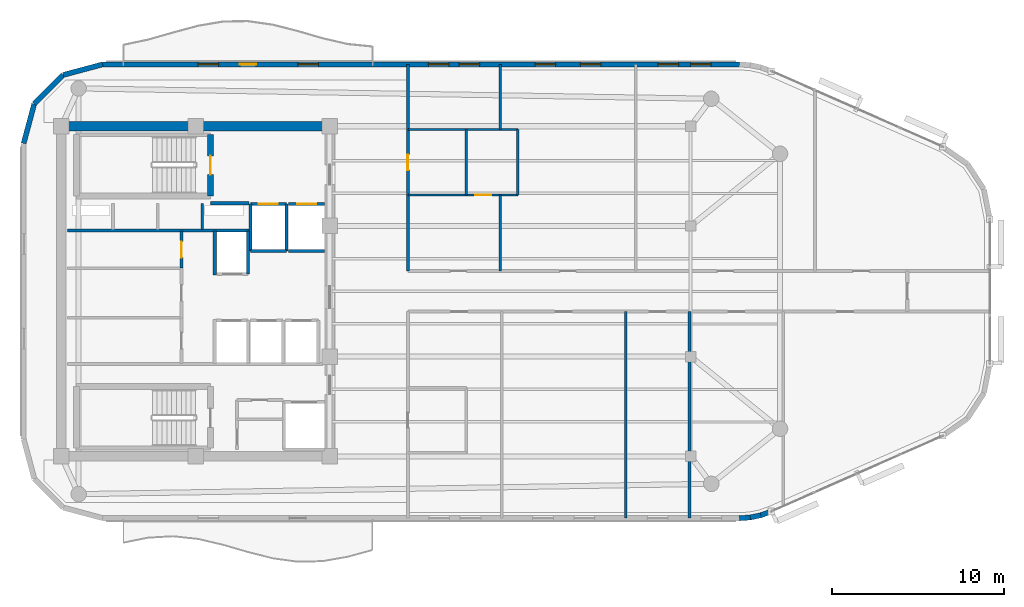
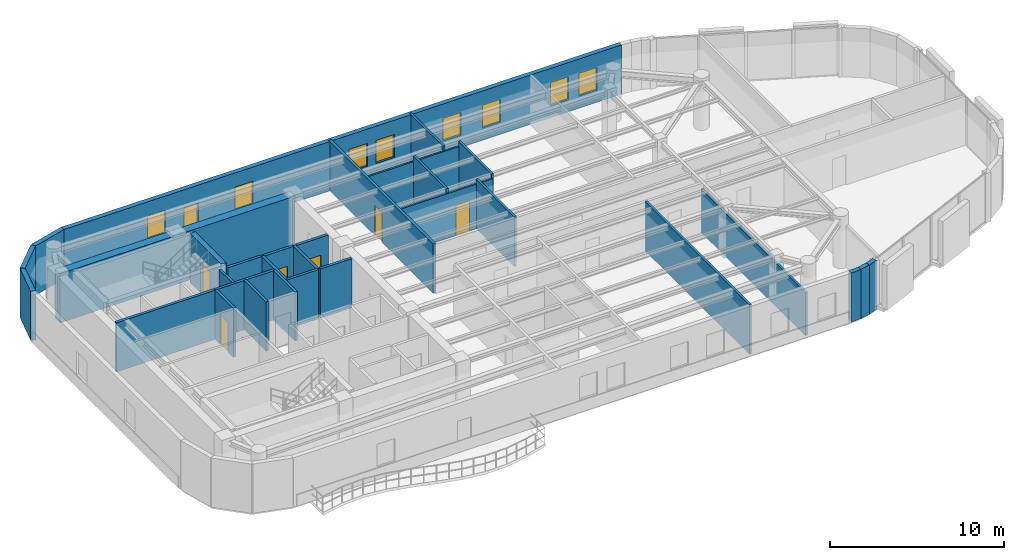
# One storey, part 9 of 14: 30 walls, 8 windows, 7 doors, 15 openings.
"""IFC4 building model written with IfcOpenShell, lengths in metres."""

from ifc_helpers import new_model, si_unit, direction, frame, frame_2d, origin, place, context, subcontext, project, spatial, rectangle, extrude, material, layer, layer_set, type_object, element, fill, save


model = new_model("IFC4")

# Units and contexts
model_context = context("Model", 3, precision=1e-05, world=origin(), true_north=direction((0.0, 1.0)))
body_context = subcontext(model_context, "Body", "Model", "MODEL_VIEW")
ifc_project = project(units=[si_unit("LENGTHUNIT", "METRE"), si_unit("AREAUNIT", "SQUARE_METRE"), si_unit("VOLUMEUNIT", "CUBIC_METRE"), si_unit("PLANEANGLEUNIT", "RADIAN"), si_unit("MASSUNIT", "GRAM", prefix="KILO")], contexts=[model_context])

# Site, building, storey
site_placement = place(None, origin())
site = spatial("IfcSite", under=ifc_project, at=site_placement, CompositionType="ELEMENT")
building_placement = place(site_placement, origin())
building = spatial("IfcBuilding", under=site, at=building_placement, Name="An Khanh Terracotta Commons", CompositionType="ELEMENT")
storey_placement = place(building_placement, frame((0.0, 0.0, 284.35009765625)))
storey = spatial("IfcBuildingStorey", under=building, at=storey_placement, Name="L74", CompositionType="ELEMENT", Elevation=284.35009765625)

# Walls
ifc_material_1 = material(Name="Concrete C50/60", Category="concrete")
ifc_layer_1 = layer(ifc_material_1, 0.550048828125, Name="Concrete C50/60")
ifc_layer_set_1 = layer_set([ifc_layer_1], Name="Concrete C50/60")
wall_type_1 = type_object("IfcWallType", Name="WALL-CORE-550", PredefinedType="SHEAR", material=ifc_layer_set_1)
wall_1_placement = place(storey_placement, frame((21.60009765625, 33.60009765625, 0.0), z_axis=(0.0, 0.0, 1.0), x_axis=(1.0, 0.0, 0.0)))
element("IfcWall", 1, at=wall_1_placement, inside=storey, type_object=wall_type_1, Name="L74 Core Wall CWALL-L74-N", PredefinedType="SHEAR", context=body_context, shape_type="SweptSolid", body=[
    extrude(rectangle(XDim=15.599853515625, YDim=0.550048828125, at=frame_2d((7.7998046875, 0.0))), origin(), (0.0, 0.0, 1.0), 3.449951171875),
])
ifc_material_2 = material(Name="Fire-Rated Gypsum Board on Steel Stud", Category="steel")
ifc_layer_2 = layer(ifc_material_2, 0.179931640625, Name="Fire-Rated Gypsum Board on Steel Stud")
ifc_layer_set_2 = layer_set([ifc_layer_2], Name="Fire-Rated Gypsum Board on Steel Stud")
wall_type_2 = type_object("IfcWallType", Name="WALL-CORR-180", PredefinedType="PARTITIONING", material=ifc_layer_set_2)
wall_2_placement = place(storey_placement, frame((30.27001953125, 29.1201171875, 0.0), z_axis=(0.0, 0.0, 1.0), x_axis=(1.0, 0.0, 0.0)))
element("IfcWall", 2, at=wall_2_placement, inside=storey, type_object=wall_type_2, Name="L74 Core Wall FFLW-L74-S", PredefinedType="PARTITIONING", context=body_context, shape_type="SweptSolid", body=[
    extrude(rectangle(XDim=2.239990234375, YDim=0.179931640625, at=frame_2d((1.1201171875, 0.0))), origin(), (0.0, 0.0, 1.0), 3.449951171875),
])
wall_3_placement = place(storey_placement, frame((21.949951171875, 27.5400390625, 0.0), z_axis=(0.0, 0.0, 1.0), x_axis=(1.0, 0.0, 0.0)))
element("IfcWall", 3, at=wall_3_placement, inside=storey, type_object=wall_type_2, Name="L74 Core Wall RSRW-L74-S", PredefinedType="PARTITIONING", context=body_context, shape_type="SweptSolid", body=[
    extrude(rectangle(XDim=10.56005859375, YDim=0.179931640625, at=frame_2d((5.280029296875, 0.0))), origin(), (0.0, 0.0, 1.0), 3.449951171875),
])

# Wall, opening, door
wall_4_placement = place(storey_placement, frame((32.60009765625, 29.080078125, 0.0), z_axis=(0.0, 0.0, 1.0), x_axis=(1.0, 0.0, 0.0)))
wall_4 = element("IfcWall", 4, at=wall_4_placement, inside=storey, type_object=wall_type_2, Name="L74 Core Wall LSH-L74-FFL-01-N", PredefinedType="PARTITIONING", context=body_context, shape_type="SweptSolid", body=[
    extrude(rectangle(XDim=2.079833984375, YDim=0.179931640625, at=frame_2d((1.0400390625, 0.0))), origin(), (0.0, 0.0, 1.0), 3.449951171875),
])
opening_1_placement = place(wall_4_placement, frame((0.489990234375, 0.0, 0.0)))
opening_1 = element("IfcOpeningElement", 5, at=opening_1_placement, cuts=wall_4, Name="Opening LD-FFL-01-L74", PredefinedType="OPENING", context=body_context, shape_type="SweptSolid", body=[
    extrude(rectangle(XDim=1.10009765625, YDim=2.199951171875, at=frame_2d((0.550048828125, 1.10009765625))), frame((0.0, 0.099853515625, 0.0), z_axis=(0.0, -1.0, 0.0), x_axis=(1.0, 0.0, 0.0)), (0.0, 0.0, 1.0), 0.199951171875),
])
ifc_material_3 = material(Name="Brushed Stainless Steel Fire Landing Door", Category="steel")
door_type_1 = type_object("IfcDoorType", Name="DOOR-LD-FFL-1100", OperationType="NOTDEFINED", PredefinedType="DOOR", material=ifc_material_3)
door_1_placement = place(opening_1_placement, origin())
door_1 = element("IfcDoor", 6, at=door_1_placement, inside=storey, type_object=door_type_1, Name="L74 Lift FFL-01 Sliding Landing Door", OperationType="DOUBLE_DOOR_SLIDING", OverallHeight=2.199951171875, OverallWidth=1.10009765625, PredefinedType="DOOR", context=body_context, shape_type="SweptSolid", body=[
    extrude(rectangle(XDim=1.10009765625, YDim=2.199951171875, at=frame_2d((0.550048828125, 1.10009765625))), frame((0.0, 0.02490234375, 0.0), z_axis=(0.0, -1.0, 0.0), x_axis=(1.0, 0.0, 0.0)), (0.0, 0.0, 1.0), 0.050048828125),
])
fill(opening_1, door_1)

# Walls
wall_5_placement = place(storey_placement, frame((34.679931640625, 26.35009765625, 0.0), z_axis=(0.0, 0.0, 1.0), x_axis=(-1.0, 0.0, 0.0)))
element("IfcWall", 7, at=wall_5_placement, inside=storey, type_object=wall_type_2, Name="L74 Core Wall LSH-L74-FFL-01-S", PredefinedType="PARTITIONING", context=body_context, shape_type="SweptSolid", body=[
    extrude(rectangle(XDim=2.079833984375, YDim=0.179931640625, at=frame_2d((1.0400390625, 0.0))), origin(), (0.0, 0.0, 1.0), 3.449951171875),
])
for number, where, z_axis, x_axis, name in (
    (8, (34.679931640625, 26.35009765625, 0.0), (0.0, 0.0, 1.0), (0.0, 1.0, 0.0), "L74 Core Wall LSH-L74-FFL-01-E"),
    (9, (32.60009765625, 29.080078125, 0.0), (0.0, 0.0, 1.0), (0.0, -1.0, 0.0), "L74 Core Wall LSH-L74-FFL-01-W"),
):
    element("IfcWall", number, at=place(storey_placement, frame(where, z_axis=z_axis, x_axis=x_axis)), inside=storey, type_object=wall_type_2, Name=name, PredefinedType="PARTITIONING", context=body_context, shape_type="SweptSolid", body=[
        extrude(rectangle(XDim=2.72998046875, YDim=0.179931640625, at=frame_2d((1.364990234375, 0.0))), origin(), (0.0, 0.0, 1.0), 3.449951171875),
    ])

# Wall, opening, door
wall_6_placement = place(storey_placement, frame((34.820068359375, 29.080078125, 0.0), z_axis=(0.0, 0.0, 1.0), x_axis=(1.0, 0.0, 0.0)))
wall_6 = element("IfcWall", 10, at=wall_6_placement, inside=storey, type_object=wall_type_2, Name="L74 Core Wall LSH-L74-FFL-02-N", PredefinedType="PARTITIONING", context=body_context, shape_type="SweptSolid", body=[
    extrude(rectangle(XDim=2.079833984375, YDim=0.179931640625, at=frame_2d((1.0400390625, 0.0))), origin(), (0.0, 0.0, 1.0), 3.449951171875),
])
opening_2_placement = place(wall_6_placement, frame((0.489990234375, 0.0, 0.0)))
opening_2 = element("IfcOpeningElement", 11, at=opening_2_placement, cuts=wall_6, Name="Opening LD-FFL-02-L74", PredefinedType="OPENING", context=body_context, shape_type="SweptSolid", body=[
    extrude(rectangle(XDim=1.10009765625, YDim=2.199951171875, at=frame_2d((0.550048828125, 1.10009765625))), frame((0.0, 0.099853515625, 0.0), z_axis=(0.0, -1.0, 0.0), x_axis=(1.0, 0.0, 0.0)), (0.0, 0.0, 1.0), 0.199951171875),
])
door_2_placement = place(opening_2_placement, origin())
door_2 = element("IfcDoor", 12, at=door_2_placement, inside=storey, type_object=door_type_1, Name="L74 Lift FFL-02 Sliding Landing Door", OperationType="DOUBLE_DOOR_SLIDING", OverallHeight=2.199951171875, OverallWidth=1.10009765625, PredefinedType="DOOR", context=body_context, shape_type="SweptSolid", body=[
    extrude(rectangle(XDim=1.10009765625, YDim=2.199951171875, at=frame_2d((0.550048828125, 1.10009765625))), frame((0.0, 0.02490234375, 0.0), z_axis=(0.0, -1.0, 0.0), x_axis=(1.0, 0.0, 0.0)), (0.0, 0.0, 1.0), 0.050048828125),
])
fill(opening_2, door_2)

# Walls
wall_7_placement = place(storey_placement, frame((36.89990234375, 26.35009765625, 0.0), z_axis=(0.0, 0.0, 1.0), x_axis=(-1.0, 0.0, 0.0)))
element("IfcWall", 13, at=wall_7_placement, inside=storey, type_object=wall_type_2, Name="L74 Core Wall LSH-L74-FFL-02-S", PredefinedType="PARTITIONING", context=body_context, shape_type="SweptSolid", body=[
    extrude(rectangle(XDim=2.079833984375, YDim=0.179931640625, at=frame_2d((1.0400390625, 0.0))), origin(), (0.0, 0.0, 1.0), 3.449951171875),
])
wall_8_placement = place(storey_placement, frame((32.4599609375, 25.0, 0.0), z_axis=(0.0, 0.0, 1.0), x_axis=(0.0, 1.0, 0.0)))
element("IfcWall", 14, at=wall_8_placement, inside=storey, type_object=wall_type_2, Name="L74 Core Wall LSH-L74-PL-H1-E", PredefinedType="PARTITIONING", context=body_context, shape_type="SweptSolid", body=[
    extrude(rectangle(XDim=2.5, YDim=0.179931640625, at=frame_2d((1.25, 0.0))), origin(), (0.0, 0.0, 1.0), 3.449951171875),
])
wall_9_placement = place(storey_placement, frame((30.52001953125, 24.949951171875, 0.0), z_axis=(0.0, 0.0, 1.0), x_axis=(0.0, 1.0, 0.0)))
element("IfcWall", 15, at=wall_9_placement, inside=storey, type_object=wall_type_2, Name="L74 Core Wall RECW-L74-BE1", PredefinedType="PARTITIONING", context=body_context, shape_type="SweptSolid", body=[
    extrude(rectangle(XDim=2.550048828125, YDim=0.179931640625, at=frame_2d((1.27490234375, 0.0))), origin(), (0.0, 0.0, 1.0), 3.449951171875),
])

# Wall, opening, door
wall_10_placement = place(storey_placement, frame((28.580078125, 25.35009765625, 0.0), z_axis=(0.0, 0.0, 1.0), x_axis=(0.0, 1.0, 0.0)))
wall_10 = element("IfcWall", 16, at=wall_10_placement, inside=storey, type_object=wall_type_2, Name="L74 Core Wall RECW-L74-E1", PredefinedType="PARTITIONING", context=body_context, shape_type="SweptSolid", body=[
    extrude(rectangle(XDim=2.14990234375, YDim=0.179931640625, at=frame_2d((1.074951171875, 0.0))), origin(), (0.0, 0.0, 1.0), 3.449951171875),
])
opening_3_placement = place(wall_10_placement, frame((0.614990234375, 0.0, 0.0)))
opening_3 = element("IfcOpeningElement", 17, at=opening_3_placement, cuts=wall_10, Name="Opening D-RM", PredefinedType="OPENING", context=body_context, shape_type="SweptSolid", body=[
    extrude(rectangle(XDim=0.919921875, YDim=2.10009765625, at=frame_2d((0.4599609375, 1.050048828125))), frame((0.0, 0.099853515625, 0.0), z_axis=(0.0, -1.0, 0.0), x_axis=(1.0, 0.0, 0.0)), (0.0, 0.0, 1.0), 0.199951171875),
])
ifc_material_4 = material(Name="Engineered Hardwood Timber Leaf", Category="wood")
door_type_2 = type_object("IfcDoorType", Name="DOOR-INT-920", OperationType="NOTDEFINED", PredefinedType="DOOR", material=ifc_material_4)
door_3_placement = place(opening_3_placement, origin())
door_3 = element("IfcDoor", 18, at=door_3_placement, inside=storey, type_object=door_type_2, Name="L74 Quiet Focus Pod Door", OperationType="SINGLE_SWING_RIGHT", OverallHeight=2.10009765625, OverallWidth=0.919921875, PredefinedType="DOOR", context=body_context, shape_type="SweptSolid", body=[
    extrude(rectangle(XDim=0.919921875, YDim=2.10009765625, at=frame_2d((0.4599609375, 1.050048828125))), frame((0.0, 0.02490234375, 0.0), z_axis=(0.0, -1.0, 0.0), x_axis=(1.0, 0.0, 0.0)), (0.0, 0.0, 1.0), 0.050048828125),
])
fill(opening_3, door_3)

wall_11_placement = place(storey_placement, frame((41.75, 25.179931640625, 0.0), z_axis=(0.0, 0.0, 1.0), x_axis=(0.0, 1.0, 0.0)))
wall_11 = element("IfcWall", 19, at=wall_11_placement, inside=storey, type_object=wall_type_2, Name="L74 Interior Partition IW-L74-E008", PredefinedType="PARTITIONING", context=body_context, shape_type="SweptSolid", body=[
    extrude(rectangle(XDim=12.02001953125, YDim=0.179931640625, at=frame_2d((6.010009765625, 0.0))), origin(), (0.0, 0.0, 1.0), 3.449951171875),
])
opening_4_placement = place(wall_11_placement, frame((5.8701171875, 0.0, 0.0)))
opening_4 = element("IfcOpeningElement", 20, at=opening_4_placement, cuts=wall_11, Name="Opening D-WC", PredefinedType="OPENING", context=body_context, shape_type="SweptSolid", body=[
    extrude(rectangle(XDim=0.89990234375, YDim=2.10009765625, at=frame_2d((0.449951171875, 1.050048828125))), frame((0.0, 0.099853515625, 0.0), z_axis=(0.0, -1.0, 0.0), x_axis=(1.0, 0.0, 0.0)), (0.0, 0.0, 1.0), 0.199951171875),
])
ifc_material_5 = material(Name="Laminate Moisture-Resistant Timber Leaf", Category="wood")
door_type_3 = type_object("IfcDoorType", Name="DOOR-WC-900", OperationType="NOTDEFINED", PredefinedType="DOOR", material=ifc_material_5)
door_4_placement = place(opening_4_placement, origin())
door_4 = element("IfcDoor", 21, at=door_4_placement, inside=storey, type_object=door_type_3, Name="L74 AWC Accessible WC Door", OperationType="SINGLE_SWING_LEFT", OverallHeight=2.10009765625, OverallWidth=0.89990234375, PredefinedType="DOOR", context=body_context, shape_type="SweptSolid", body=[
    extrude(rectangle(XDim=0.89990234375, YDim=2.10009765625, at=frame_2d((0.449951171875, 1.050048828125))), frame((0.0, 0.02490234375, 0.0), z_axis=(0.0, -1.0, 0.0), x_axis=(1.0, 0.0, 0.0)), (0.0, 0.0, 1.0), 0.050048828125),
])
fill(opening_4, door_4)

# Walls
ifc_material_6 = material(Name="Precast concrete C40/50", Category="concrete")
ifc_layer_3 = layer(ifc_material_6, 0.300048828125, Name="Precast concrete C40/50")
ifc_layer_set_3 = layer_set([ifc_layer_3], Name="Precast concrete C40/50")
wall_type_3 = type_object("IfcWallType", Name="WALL-EXT-300", PredefinedType="SOLIDWALL", material=ifc_layer_set_3)
wall_12_placement = place(storey_placement, frame((61.030029296875, 10.800048828125, 0.0), z_axis=(0.0, 0.0, 1.0), x_axis=(0.997613959688, 0.069039028352, 0.0)))
element("IfcWall", 22, at=wall_12_placement, inside=storey, type_object=wall_type_3, Name="L74 Insulated Terracotta Exterior Wall 5", PredefinedType="SOLIDWALL", context=body_context, shape_type="SweptSolid", body=[
    extrude(rectangle(XDim=0.636474609375, YDim=0.300048828125, at=frame_2d((0.318359375, 0.0))), origin(), (0.0, 0.0, 1.0), 3.449951171875),
])
wall_13_placement = place(storey_placement, frame((61.6650390625, 10.843994140625, 0.0), z_axis=(0.0, 0.0, 1.0), x_axis=(0.97857012251, 0.205913854149, 0.0)))
element("IfcWall", 23, at=wall_13_placement, inside=storey, type_object=wall_type_3, Name="L74 Insulated Terracotta Exterior Wall 6", PredefinedType="SOLIDWALL", context=body_context, shape_type="SweptSolid", body=[
    extrude(rectangle(XDim=0.63671875, YDim=0.300048828125, at=frame_2d((0.318359375, 0.0))), origin(), (0.0, 0.0, 1.0), 3.449951171875),
])
wall_14_placement = place(storey_placement, frame((62.2880859375, 10.97509765625, 0.0), z_axis=(0.0, 0.0, 1.0), x_axis=(0.94077491148, 0.339031806665, 0.0)))
element("IfcWall", 24, at=wall_14_placement, inside=storey, type_object=wall_type_3, Name="L74 Insulated Terracotta Exterior Wall 7", PredefinedType="SOLIDWALL", context=body_context, shape_type="SweptSolid", body=[
    extrude(rectangle(XDim=0.636474609375, YDim=0.300048828125, at=frame_2d((0.318359375, 0.0))), origin(), (0.0, 0.0, 1.0), 3.449951171875),
])

# Wall, openings, door, windows
wall_15_placement = place(storey_placement, frame((61.030029296875, 37.199951171875, 0.0), z_axis=(0.0, 0.0, 1.0), x_axis=(-1.0, 0.0, 0.0)))
wall_15 = element("IfcWall", 25, at=wall_15_placement, inside=storey, type_object=wall_type_3, Name="L74 Insulated Terracotta Exterior Wall 20", PredefinedType="SOLIDWALL", context=body_context, shape_type="SweptSolid", body=[
    extrude(rectangle(XDim=37.030029296875, YDim=0.300048828125, at=frame_2d((18.51513671875, 0.0))), origin(), (0.0, 0.0, 1.0), 3.449951171875),
])
opening_5_placement = place(wall_15_placement, frame((28.10498046875, 0.0, 0.0)))
opening_5 = element("IfcOpeningElement", 26, at=opening_5_placement, cuts=wall_15, Name="Opening D-BAL", PredefinedType="OPENING", context=body_context, shape_type="SweptSolid", body=[
    extrude(rectangle(XDim=0.949951171875, YDim=2.199951171875, at=frame_2d((0.47509765625, 1.10009765625))), frame((0.0, 0.159912109375, 0.0), z_axis=(0.0, -1.0, 0.0), x_axis=(1.0, 0.0, 0.0)), (0.0, 0.0, 1.0), 0.320068359375),
])
opening_6_placement = place(wall_15_placement, frame((1.638916015625, 0.0, 0.85009765625)))
opening_6 = element("IfcOpeningElement", 27, at=opening_6_placement, cuts=wall_15, Name="Opening W-05", PredefinedType="OPENING", context=body_context, shape_type="SweptSolid", body=[
    extrude(rectangle(XDim=1.199951171875, YDim=1.60009765625, at=frame_2d((0.60009765625, 0.800048828125))), frame((0.0, 0.159912109375, 0.0), z_axis=(0.0, -1.0, 0.0), x_axis=(1.0, 0.0, 0.0)), (0.0, 0.0, 1.0), 0.320068359375),
])
opening_7_placement = place(wall_15_placement, frame((3.529052734375, 0.0, 0.85009765625)))
opening_7 = element("IfcOpeningElement", 28, at=opening_7_placement, cuts=wall_15, Name="Opening W-05", PredefinedType="OPENING", context=body_context, shape_type="SweptSolid", body=[
    extrude(rectangle(XDim=1.199951171875, YDim=1.60009765625, at=frame_2d((0.60009765625, 0.800048828125))), frame((0.0, 0.159912109375, 0.0), z_axis=(0.0, -1.0, 0.0), x_axis=(1.0, 0.0, 0.0)), (0.0, 0.0, 1.0), 0.320068359375),
])
opening_8_placement = place(wall_15_placement, frame((8.049072265625, 0.0, 0.85009765625)))
opening_8 = element("IfcOpeningElement", 29, at=opening_8_placement, cuts=wall_15, Name="Opening W-05", PredefinedType="OPENING", context=body_context, shape_type="SweptSolid", body=[
    extrude(rectangle(XDim=1.199951171875, YDim=1.60009765625, at=frame_2d((0.60009765625, 0.800048828125))), frame((0.0, 0.159912109375, 0.0), z_axis=(0.0, -1.0, 0.0), x_axis=(1.0, 0.0, 0.0)), (0.0, 0.0, 1.0), 0.320068359375),
])
opening_9_placement = place(wall_15_placement, frame((10.680908203125, 0.0, 0.85009765625)))
opening_9 = element("IfcOpeningElement", 30, at=opening_9_placement, cuts=wall_15, Name="Opening W-05", PredefinedType="OPENING", context=body_context, shape_type="SweptSolid", body=[
    extrude(rectangle(XDim=1.199951171875, YDim=1.60009765625, at=frame_2d((0.60009765625, 0.800048828125))), frame((0.0, 0.159912109375, 0.0), z_axis=(0.0, -1.0, 0.0), x_axis=(1.0, 0.0, 0.0)), (0.0, 0.0, 1.0), 0.320068359375),
])
opening_10_placement = place(wall_15_placement, frame((15.10107421875, 0.0, 0.85009765625)))
opening_10 = element("IfcOpeningElement", 31, at=opening_10_placement, cuts=wall_15, Name="Opening W-05", PredefinedType="OPENING", context=body_context, shape_type="SweptSolid", body=[
    extrude(rectangle(XDim=1.199951171875, YDim=1.60009765625, at=frame_2d((0.60009765625, 0.800048828125))), frame((0.0, 0.159912109375, 0.0), z_axis=(0.0, -1.0, 0.0), x_axis=(1.0, 0.0, 0.0)), (0.0, 0.0, 1.0), 0.320068359375),
])
opening_11_placement = place(wall_15_placement, frame((16.89111328125, 0.0, 0.85009765625)))
opening_11 = element("IfcOpeningElement", 32, at=opening_11_placement, cuts=wall_15, Name="Opening W-05", PredefinedType="OPENING", context=body_context, shape_type="SweptSolid", body=[
    extrude(rectangle(XDim=1.199951171875, YDim=1.60009765625, at=frame_2d((0.60009765625, 0.800048828125))), frame((0.0, 0.159912109375, 0.0), z_axis=(0.0, -1.0, 0.0), x_axis=(1.0, 0.0, 0.0)), (0.0, 0.0, 1.0), 0.320068359375),
])
opening_12_placement = place(wall_15_placement, frame((24.47998046875, 0.0, 0.85009765625)))
opening_12 = element("IfcOpeningElement", 33, at=opening_12_placement, cuts=wall_15, Name="Opening W-05", PredefinedType="OPENING", context=body_context, shape_type="SweptSolid", body=[
    extrude(rectangle(XDim=1.199951171875, YDim=1.60009765625, at=frame_2d((0.60009765625, 0.800048828125))), frame((0.0, 0.159912109375, 0.0), z_axis=(0.0, -1.0, 0.0), x_axis=(1.0, 0.0, 0.0)), (0.0, 0.0, 1.0), 0.320068359375),
])
opening_13_placement = place(wall_15_placement, frame((30.280029296875, 0.0, 0.85009765625)))
opening_13 = element("IfcOpeningElement", 34, at=opening_13_placement, cuts=wall_15, Name="Opening W-05", PredefinedType="OPENING", context=body_context, shape_type="SweptSolid", body=[
    extrude(rectangle(XDim=1.199951171875, YDim=1.60009765625, at=frame_2d((0.60009765625, 0.800048828125))), frame((0.0, 0.159912109375, 0.0), z_axis=(0.0, -1.0, 0.0), x_axis=(1.0, 0.0, 0.0)), (0.0, 0.0, 1.0), 0.320068359375),
])
ifc_material_7 = material(Name="Thermally Broken Aluminium and Low-E Glass", Category="aluminium")
door_type_4 = type_object("IfcDoorType", Name="DOOR-BALC-950", OperationType="NOTDEFINED", PredefinedType="DOOR", material=ifc_material_7)
door_5_placement = place(opening_5_placement, origin())
door_5 = element("IfcDoor", 35, at=door_5_placement, inside=storey, type_object=door_type_4, Name="L74 N Wave Balcony Glazed Door", OperationType="SINGLE_SWING_RIGHT", OverallHeight=2.199951171875, OverallWidth=0.949951171875, PredefinedType="DOOR", context=body_context, shape_type="SweptSolid", body=[
    extrude(rectangle(XDim=0.949951171875, YDim=2.199951171875, at=frame_2d((0.47509765625, 1.10009765625))), frame((0.0, 0.02490234375, 0.0), z_axis=(0.0, -1.0, 0.0), x_axis=(1.0, 0.0, 0.0)), (0.0, 0.0, 1.0), 0.050048828125),
])
fill(opening_5, door_5)
window_type = type_object("IfcWindowType", Name="WIN-Z5-1200x1600", PartitioningType="SINGLE_PANEL", PredefinedType="WINDOW", material=ifc_material_7)
window_1_placement = place(opening_6_placement, origin())
window_1 = element("IfcWindow", 36, at=window_1_placement, inside=storey, type_object=window_type, Name="L74 Operable Casement Window 20.1", OverallHeight=1.60009765625, OverallWidth=1.199951171875, PartitioningType="SINGLE_PANEL", PredefinedType="WINDOW", context=body_context, shape_type="SweptSolid", body=[
    extrude(rectangle(XDim=1.199951171875, YDim=1.60009765625, at=frame_2d((0.60009765625, 0.800048828125))), frame((0.0, 0.030029296875, 0.0), z_axis=(0.0, -1.0, 0.0), x_axis=(1.0, 0.0, 0.0)), (0.0, 0.0, 1.0), 0.06005859375),
])
fill(opening_6, window_1)
window_2_placement = place(opening_7_placement, origin())
window_2 = element("IfcWindow", 37, at=window_2_placement, inside=storey, type_object=window_type, Name="L74 Operable Casement Window 20.2", OverallHeight=1.60009765625, OverallWidth=1.199951171875, PartitioningType="SINGLE_PANEL", PredefinedType="WINDOW", context=body_context, shape_type="SweptSolid", body=[
    extrude(rectangle(XDim=1.199951171875, YDim=1.60009765625, at=frame_2d((0.60009765625, 0.800048828125))), frame((0.0, 0.030029296875, 0.0), z_axis=(0.0, -1.0, 0.0), x_axis=(1.0, 0.0, 0.0)), (0.0, 0.0, 1.0), 0.06005859375),
])
fill(opening_7, window_2)
window_3_placement = place(opening_8_placement, origin())
window_3 = element("IfcWindow", 38, at=window_3_placement, inside=storey, type_object=window_type, Name="L74 Operable Casement Window 20.3", OverallHeight=1.60009765625, OverallWidth=1.199951171875, PartitioningType="SINGLE_PANEL", PredefinedType="WINDOW", context=body_context, shape_type="SweptSolid", body=[
    extrude(rectangle(XDim=1.199951171875, YDim=1.60009765625, at=frame_2d((0.60009765625, 0.800048828125))), frame((0.0, 0.030029296875, 0.0), z_axis=(0.0, -1.0, 0.0), x_axis=(1.0, 0.0, 0.0)), (0.0, 0.0, 1.0), 0.06005859375),
])
fill(opening_8, window_3)
window_4_placement = place(opening_9_placement, origin())
window_4 = element("IfcWindow", 39, at=window_4_placement, inside=storey, type_object=window_type, Name="L74 Operable Casement Window 20.4", OverallHeight=1.60009765625, OverallWidth=1.199951171875, PartitioningType="SINGLE_PANEL", PredefinedType="WINDOW", context=body_context, shape_type="SweptSolid", body=[
    extrude(rectangle(XDim=1.199951171875, YDim=1.60009765625, at=frame_2d((0.60009765625, 0.800048828125))), frame((0.0, 0.030029296875, 0.0), z_axis=(0.0, -1.0, 0.0), x_axis=(1.0, 0.0, 0.0)), (0.0, 0.0, 1.0), 0.06005859375),
])
fill(opening_9, window_4)
window_5_placement = place(opening_10_placement, origin())
window_5 = element("IfcWindow", 40, at=window_5_placement, inside=storey, type_object=window_type, Name="L74 Operable Casement Window 20.5", OverallHeight=1.60009765625, OverallWidth=1.199951171875, PartitioningType="SINGLE_PANEL", PredefinedType="WINDOW", context=body_context, shape_type="SweptSolid", body=[
    extrude(rectangle(XDim=1.199951171875, YDim=1.60009765625, at=frame_2d((0.60009765625, 0.800048828125))), frame((0.0, 0.030029296875, 0.0), z_axis=(0.0, -1.0, 0.0), x_axis=(1.0, 0.0, 0.0)), (0.0, 0.0, 1.0), 0.06005859375),
])
fill(opening_10, window_5)
window_6_placement = place(opening_11_placement, origin())
window_6 = element("IfcWindow", 41, at=window_6_placement, inside=storey, type_object=window_type, Name="L74 Operable Casement Window 20.6", OverallHeight=1.60009765625, OverallWidth=1.199951171875, PartitioningType="SINGLE_PANEL", PredefinedType="WINDOW", context=body_context, shape_type="SweptSolid", body=[
    extrude(rectangle(XDim=1.199951171875, YDim=1.60009765625, at=frame_2d((0.60009765625, 0.800048828125))), frame((0.0, 0.030029296875, 0.0), z_axis=(0.0, -1.0, 0.0), x_axis=(1.0, 0.0, 0.0)), (0.0, 0.0, 1.0), 0.06005859375),
])
fill(opening_11, window_6)
window_7_placement = place(opening_12_placement, origin())
window_7 = element("IfcWindow", 42, at=window_7_placement, inside=storey, type_object=window_type, Name="L74 Operable Casement Window 20.7", OverallHeight=1.60009765625, OverallWidth=1.199951171875, PartitioningType="SINGLE_PANEL", PredefinedType="WINDOW", context=body_context, shape_type="SweptSolid", body=[
    extrude(rectangle(XDim=1.199951171875, YDim=1.60009765625, at=frame_2d((0.60009765625, 0.800048828125))), frame((0.0, 0.030029296875, 0.0), z_axis=(0.0, -1.0, 0.0), x_axis=(1.0, 0.0, 0.0)), (0.0, 0.0, 1.0), 0.06005859375),
])
fill(opening_12, window_7)
window_8_placement = place(opening_13_placement, origin())
window_8 = element("IfcWindow", 43, at=window_8_placement, inside=storey, type_object=window_type, Name="L74 Operable Casement Window 20.8", OverallHeight=1.60009765625, OverallWidth=1.199951171875, PartitioningType="SINGLE_PANEL", PredefinedType="WINDOW", context=body_context, shape_type="SweptSolid", body=[
    extrude(rectangle(XDim=1.199951171875, YDim=1.60009765625, at=frame_2d((0.60009765625, 0.800048828125))), frame((0.0, 0.030029296875, 0.0), z_axis=(0.0, -1.0, 0.0), x_axis=(1.0, 0.0, 0.0)), (0.0, 0.0, 1.0), 0.06005859375),
])
fill(opening_13, window_8)

# Walls
wall_16_placement = place(storey_placement, frame((24.0, 37.199951171875, 0.0), z_axis=(0.0, 0.0, 1.0), x_axis=(-0.965960405575, -0.25868995895, 0.0)))
element("IfcWall", 44, at=wall_16_placement, inside=storey, type_object=wall_type_3, Name="L74 Insulated Terracotta Exterior Wall 21", PredefinedType="SOLIDWALL", context=body_context, shape_type="SweptSolid", body=[
    extrude(rectangle(XDim=2.381103515625, YDim=0.300048828125, at=frame_2d((1.1904296875, 0.0))), origin(), (0.0, 0.0, 1.0), 3.449951171875),
])
wall_17_placement = place(storey_placement, frame((21.699951171875, 36.583984375, 0.0), z_axis=(0.0, 0.0, 1.0), x_axis=(-0.707055521135, -0.707158037522, 0.0)))
element("IfcWall", 45, at=wall_17_placement, inside=storey, type_object=wall_type_3, Name="L74 Insulated Terracotta Exterior Wall 22", PredefinedType="SOLIDWALL", context=body_context, shape_type="SweptSolid", body=[
    extrude(rectangle(XDim=2.381591796875, YDim=0.300048828125, at=frame_2d((1.19091796875, 0.0))), origin(), (0.0, 0.0, 1.0), 3.449951171875),
])
wall_18_placement = place(storey_placement, frame((20.01611328125, 34.89990234375, 0.0), z_axis=(0.0, 0.0, 1.0), x_axis=(-0.258811258154, -0.965927912762, 0.0)))
element("IfcWall", 46, at=wall_18_placement, inside=storey, type_object=wall_type_3, Name="L74 Insulated Terracotta Exterior Wall 23", PredefinedType="SOLIDWALL", context=body_context, shape_type="SweptSolid", body=[
    extrude(rectangle(XDim=2.380859375, YDim=0.300048828125, at=frame_2d((1.1904296875, 0.0))), origin(), (0.0, 0.0, 1.0), 3.449951171875),
])
ifc_material_8 = material(Name="Acoustic Gypsum Board Partition")
ifc_layer_4 = layer(ifc_material_8, 0.14990234375, Name="Acoustic Gypsum Board Partition")
ifc_layer_set_4 = layer_set([ifc_layer_4], Name="Acoustic Gypsum Board Partition")
wall_type_4 = type_object("IfcWallType", Name="WALL-PART-150", PredefinedType="PARTITIONING", material=ifc_layer_set_4)
wall_19_placement = place(storey_placement, frame((29.800048828125, 27.60009765625, 0.0), z_axis=(0.0, 0.0, 1.0), x_axis=(0.0, 1.0, 0.0)))
element("IfcWall", 47, at=wall_19_placement, inside=storey, type_object=wall_type_4, Name="L74 Core Wall RSRW-L74-D3", PredefinedType="PARTITIONING", context=body_context, shape_type="SweptSolid", body=[
    extrude(rectangle(XDim=1.52001953125, YDim=0.14990234375, at=frame_2d((0.760009765625, 0.0))), origin(), (0.0, 0.0, 1.0), 3.449951171875),
])
wall_20_placement = place(storey_placement, frame((45.14990234375, 29.60009765625, 0.0), z_axis=(0.0, 0.0, 1.0), x_axis=(0.0, 1.0, 0.0)))
element("IfcWall", 48, at=wall_20_placement, inside=storey, type_object=wall_type_4, Name="L74 Interior Partition IW-L74-E010", PredefinedType="PARTITIONING", context=body_context, shape_type="SweptSolid", body=[
    extrude(rectangle(XDim=3.7998046875, YDim=0.14990234375, at=frame_2d((1.89990234375, 0.0))), origin(), (0.0, 0.0, 1.0), 3.449951171875),
])
wall_21_placement = place(storey_placement, frame((47.117919921875, 25.179931640625, 0.0), z_axis=(0.0, 0.0, 1.0), x_axis=(0.0, 1.0, 0.0)))
element("IfcWall", 49, at=wall_21_placement, inside=storey, type_object=wall_type_4, Name="L74 Interior Partition IW-L74-E012", PredefinedType="PARTITIONING", context=body_context, shape_type="SweptSolid", body=[
    extrude(rectangle(XDim=4.420166015625, YDim=0.14990234375, at=frame_2d((2.2099609375, 0.0))), origin(), (0.0, 0.0, 1.0), 3.449951171875),
])
wall_22_placement = place(storey_placement, frame((47.117919921875, 33.39990234375, 0.0), z_axis=(0.0, 0.0, 1.0), x_axis=(0.0, 1.0, 0.0)))
element("IfcWall", 50, at=wall_22_placement, inside=storey, type_object=wall_type_4, Name="L74 Interior Partition IW-L74-E013", PredefinedType="PARTITIONING", context=body_context, shape_type="SweptSolid", body=[
    extrude(rectangle(XDim=3.800048828125, YDim=0.14990234375, at=frame_2d((1.89990234375, 0.0))), origin(), (0.0, 0.0, 1.0), 3.449951171875),
])
wall_23_placement = place(storey_placement, frame((48.14990234375, 29.60009765625, 0.0), z_axis=(0.0, 0.0, 1.0), x_axis=(0.0, 1.0, 0.0)))
element("IfcWall", 51, at=wall_23_placement, inside=storey, type_object=wall_type_4, Name="L74 Interior Partition IW-L74-E014", PredefinedType="PARTITIONING", context=body_context, shape_type="SweptSolid", body=[
    extrude(rectangle(XDim=3.7998046875, YDim=0.14990234375, at=frame_2d((1.89990234375, 0.0))), origin(), (0.0, 0.0, 1.0), 3.449951171875),
])
wall_24_placement = place(storey_placement, frame((54.41796875, 10.800048828125, 0.0), z_axis=(0.0, 0.0, 1.0), x_axis=(0.0, 1.0, 0.0)))
element("IfcWall", 52, at=wall_24_placement, inside=storey, type_object=wall_type_4, Name="L74 Interior Partition IW-L74-E015", PredefinedType="PARTITIONING", context=body_context, shape_type="SweptSolid", body=[
    extrude(rectangle(XDim=12.02001953125, YDim=0.14990234375, at=frame_2d((6.010009765625, 0.0))), origin(), (0.0, 0.0, 1.0), 3.449951171875),
])
wall_25_placement = place(storey_placement, frame((58.132080078125, 10.800048828125, 0.0), z_axis=(0.0, 0.0, 1.0), x_axis=(0.0, 1.0, 0.0)))
element("IfcWall", 53, at=wall_25_placement, inside=storey, type_object=wall_type_4, Name="L74 Interior Partition IW-L74-E017", PredefinedType="PARTITIONING", context=body_context, shape_type="SweptSolid", body=[
    extrude(rectangle(XDim=12.02001953125, YDim=0.14990234375, at=frame_2d((6.010009765625, 0.0))), origin(), (0.0, 0.0, 1.0), 3.031982421875),
])

# Wall, opening, door
ifc_layer_5 = layer(ifc_material_1, 0.35009765625, Name="Concrete C50/60")
ifc_layer_set_5 = layer_set([ifc_layer_5], Name="Concrete C50/60")
wall_type_5 = type_object("IfcWallType", Name="WALL-SHAFT-350", PredefinedType="SOLIDWALL", material=ifc_layer_set_5)
wall_26_placement = place(storey_placement, frame((30.27001953125, 29.530029296875, 0.0), z_axis=(0.0, 0.0, 1.0), x_axis=(0.0, 1.0, 0.0)))
wall_26 = element("IfcWall", 54, at=wall_26_placement, inside=storey, type_object=wall_type_5, Name="L74 Core Wall STW-L74-N-E", PredefinedType="SOLIDWALL", context=body_context, shape_type="SweptSolid", body=[
    extrude(rectangle(XDim=3.580078125, YDim=0.35009765625, at=frame_2d((1.7900390625, 0.0))), origin(), (0.0, 0.0, 1.0), 3.449951171875),
])
opening_14_placement = place(wall_26_placement, frame((1.25, 0.0, 0.0)))
opening_14 = element("IfcOpeningElement", 55, at=opening_14_placement, cuts=wall_26, Name="Opening D-ST", PredefinedType="OPENING", context=body_context, shape_type="SweptSolid", body=[
    extrude(rectangle(XDim=1.10009765625, YDim=2.14990234375, at=frame_2d((0.550048828125, 1.074951171875))), frame((0.0, 0.18505859375, 0.0), z_axis=(0.0, -1.0, 0.0), x_axis=(1.0, 0.0, 0.0)), (0.0, 0.0, 1.0), 0.3701171875),
])
ifc_material_9 = material(Name="Fire-Rated Steel Leaf and Frame", Category="steel")
door_type_5 = type_object("IfcDoorType", Name="DOOR-STAIR-1100", OperationType="NOTDEFINED", PredefinedType="DOOR", material=ifc_material_9)
door_6_placement = place(opening_14_placement, origin())
door_6 = element("IfcDoor", 56, at=door_6_placement, inside=storey, type_object=door_type_5, Name="L74 Stair ST-01 Fire Door", OperationType="SINGLE_SWING_RIGHT", OverallHeight=2.14990234375, OverallWidth=1.10009765625, PredefinedType="DOOR", context=body_context, shape_type="SweptSolid", body=[
    extrude(rectangle(XDim=1.10009765625, YDim=2.14990234375, at=frame_2d((0.550048828125, 1.074951171875))), frame((0.0, 0.02490234375, 0.0), z_axis=(0.0, -1.0, 0.0), x_axis=(1.0, 0.0, 0.0)), (0.0, 0.0, 1.0), 0.050048828125),
])
fill(opening_14, door_6)

ifc_material_10 = material(Name="Moisture-Resistant Cement Board Partition")
ifc_layer_6 = layer(ifc_material_10, 0.1201171875, Name="Moisture-Resistant Cement Board Partition")
ifc_layer_set_6 = layer_set([ifc_layer_6], Name="Moisture-Resistant Cement Board Partition")
wall_type_6 = type_object("IfcWallType", Name="WALL-WET-120", PredefinedType="PARTITIONING", material=ifc_layer_set_6)
wall_27_placement = place(storey_placement, frame((41.75, 29.60009765625, 0.0), z_axis=(0.0, 0.0, 1.0), x_axis=(1.0, 0.0, 0.0)))
wall_27 = element("IfcWall", 57, at=wall_27_placement, inside=storey, type_object=wall_type_6, Name="L74 Interior Partition IW-L74-E005", PredefinedType="PARTITIONING", context=body_context, shape_type="SweptSolid", body=[
    extrude(rectangle(XDim=6.39990234375, YDim=0.1201171875, at=frame_2d((3.199951171875, 0.0))), origin(), (0.0, 0.0, 1.0), 3.1318359375),
])
opening_15_placement = place(wall_27_placement, frame((3.924072265625, 0.0, 0.0)))
opening_15 = element("IfcOpeningElement", 58, at=opening_15_placement, cuts=wall_27, Name="Opening D-RM", PredefinedType="OPENING", context=body_context, shape_type="SweptSolid", body=[
    extrude(rectangle(XDim=0.919921875, YDim=2.10009765625, at=frame_2d((0.4599609375, 1.050048828125))), frame((0.0, 0.070068359375, 0.0), z_axis=(0.0, -1.0, 0.0), x_axis=(1.0, 0.0, 0.0)), (0.0, 0.0, 1.0), 0.14013671875),
])
door_7_placement = place(opening_15_placement, origin())
door_7 = element("IfcDoor", 59, at=door_7_placement, inside=storey, type_object=door_type_2, Name="L74 HKP Housekeeping Linen Store Door", OperationType="SINGLE_SWING_LEFT", OverallHeight=2.10009765625, OverallWidth=0.919921875, PredefinedType="DOOR", context=body_context, shape_type="SweptSolid", body=[
    extrude(rectangle(XDim=0.919921875, YDim=2.10009765625, at=frame_2d((0.4599609375, 1.050048828125))), frame((0.0, 0.02490234375, 0.0), z_axis=(0.0, -1.0, 0.0), x_axis=(1.0, 0.0, 0.0)), (0.0, 0.0, 1.0), 0.050048828125),
])
fill(opening_15, door_7)

# Wall
wall_28_placement = place(storey_placement, frame((41.75, 33.39990234375, 0.0), z_axis=(0.0, 0.0, 1.0), x_axis=(1.0, 0.0, 0.0)))
element("IfcWall", 60, at=wall_28_placement, inside=storey, type_object=wall_type_6, Name="L74 Interior Partition IW-L74-E006", PredefinedType="PARTITIONING", context=body_context, shape_type="SweptSolid", body=[
    extrude(rectangle(XDim=6.39990234375, YDim=0.1201171875, at=frame_2d((3.199951171875, 0.0))), origin(), (0.0, 0.0, 1.0), 3.091796875),
])

save(model, "model.ifc")
